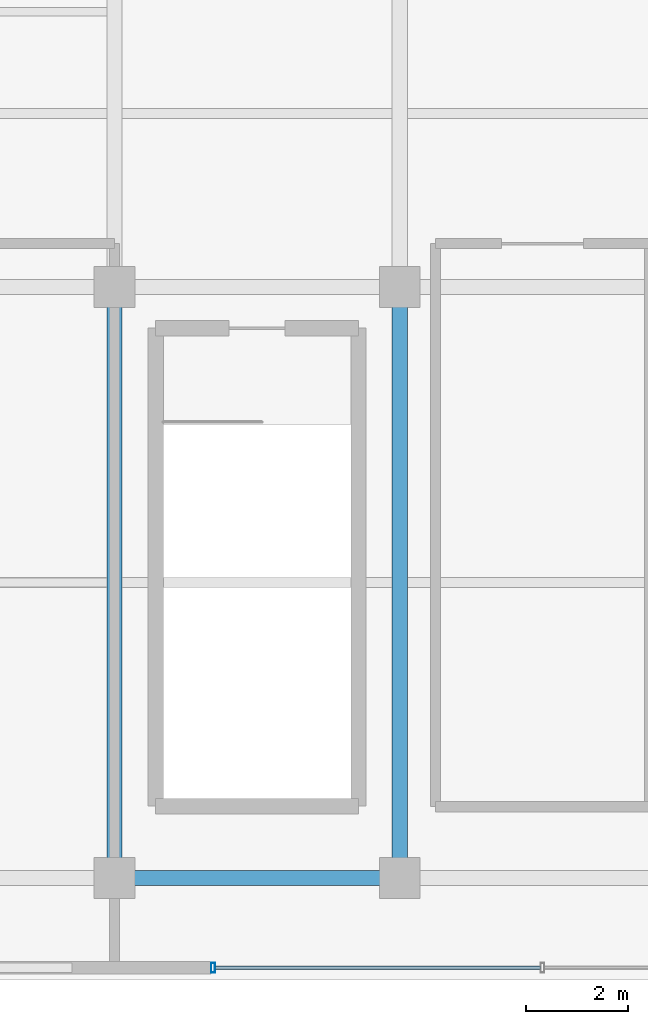
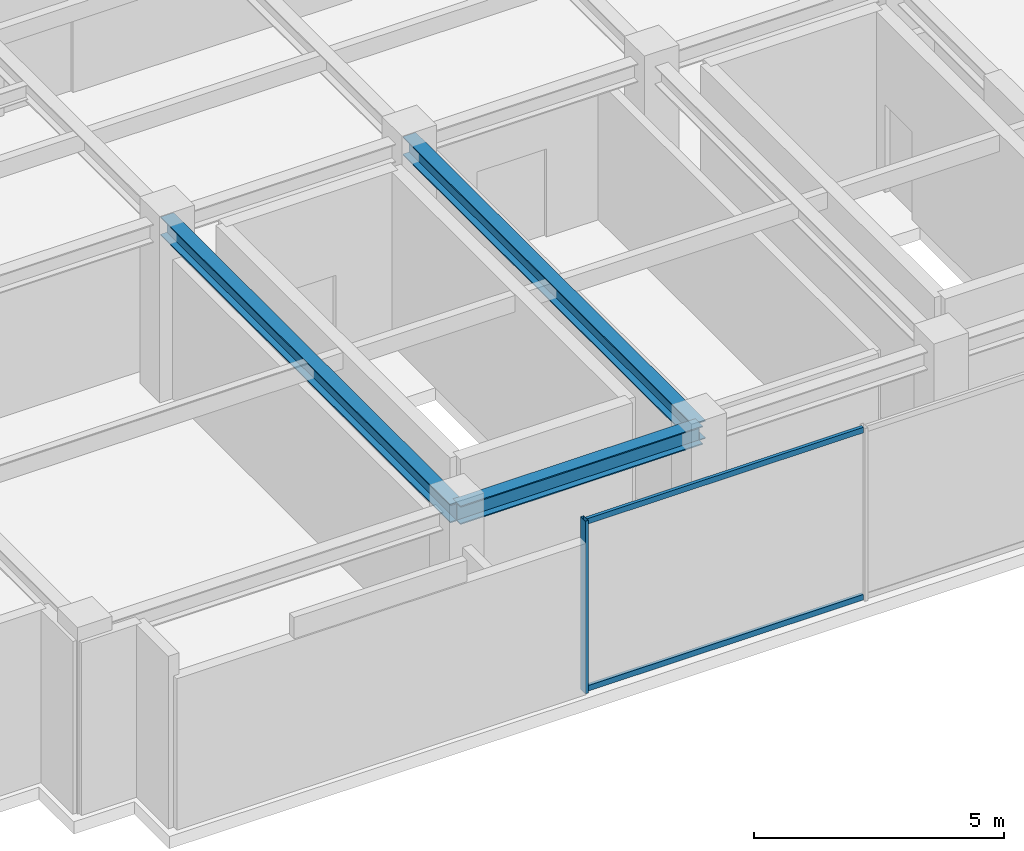
# One storey, part 2 of 21: 3 beams, 3 members, 1 element without a shape of its own.
"""IFC4 building model written with IfcOpenShell, lengths in metres."""

from ifc_helpers import new_model, si_unit, direction, frame, origin, origin_2d, place, context, subcontext, project, spatial, hollow_rectangle, i_section, extrude, source, transform, mapped, material, material_profile, profile_set, type_object, element, aggregate, save


model = new_model("IFC4")

# Units and contexts
model_context = context("Model", 3, precision=1e-05, world=origin(), true_north=direction((0.0, 1.0)))
body_context = subcontext(model_context, "Body", "Model", "MODEL_VIEW")
ifc_project = project(units=[si_unit("LENGTHUNIT", "METRE"), si_unit("AREAUNIT", "SQUARE_METRE"), si_unit("VOLUMEUNIT", "CUBIC_METRE"), si_unit("PLANEANGLEUNIT", "RADIAN"), si_unit("MASSUNIT", "GRAM", prefix="KILO")], contexts=[model_context])

# Site, building, storey
site_placement = place(None, origin())
site = spatial("IfcSite", under=ifc_project, at=site_placement, CompositionType="ELEMENT")
building_placement = place(site_placement, origin())
building = spatial("IfcBuilding", under=site, at=building_placement, Name="Nahalor Promenade Grand Hotel", CompositionType="ELEMENT")
storey_placement = place(building_placement, frame((0.0, 0.0, 370.85009765625)))
storey = spatial("IfcBuildingStorey", under=building, at=storey_placement, Name="L94", CompositionType="ELEMENT", Elevation=370.85009765625)

# Beams
ifc_material_1 = material(Name="Steel S355JR", Category="steel")
ifc_material_profile_1 = material_profile(ifc_material_1, i_section(OverallWidth=0.3, OverallDepth=0.45, WebThickness=0.014, FlangeThickness=0.026, at=origin_2d()), Name="HEB 450")
ifc_profile_set_1 = profile_set([ifc_material_profile_1], Name="Steel S355JR")
beam_type = type_object("IfcBeamType", Name="Beam-Girder-HEB450", PredefinedType="BEAM", material=ifc_profile_set_1)
shared_shape_1 = source(origin(), body_context, "Body", "SweptSolid", [
    extrude(i_section(OverallWidth=0.3, OverallDepth=0.45, WebThickness=0.014, FlangeThickness=0.026, at=origin_2d()), origin(), (0.0, 0.0, 1.0), 5.599853515625),
])
beam_placement = place(storey_placement, frame((-8.39990234375, -17.0, 3.994873046875), z_axis=(1.0, 0.0, 0.0), x_axis=(0.0, 1.0, 0.0)))
element("IfcBeam", 1, at=beam_placement, inside=storey, type_object=beam_type, Name="BM-L94-GX-0-1", PredefinedType="BEAM", context=body_context, shape_type="MappedRepresentation", body=[
    mapped(shared_shape_1, transform((0.0, 0.0, 0.0), scale=1.0)),
])
shared_shape_2 = source(origin(), body_context, "Body", "SweptSolid", [
    extrude(i_section(OverallWidth=0.3, OverallDepth=0.45, WebThickness=0.014, FlangeThickness=0.026, at=origin_2d()), origin(), (0.0, 0.0, 1.0), 11.60009765625),
])
for number, where, z_axis, x_axis, name in (
    (2, (-8.39990234375, -17.0, 3.994873046875), (0.0, 1.0, 0.0), (-1.0, 0.0, 0.0), "BM-L94-GY-1-0"),
    (3, (-2.800048828125, -17.0, 3.994873046875), (0.0, 1.0, 0.0), (-1.0, 0.0, 0.0), "BM-L94-GY-2-0"),
):
    element("IfcBeam", number, at=place(storey_placement, frame(where, z_axis=z_axis, x_axis=x_axis)), inside=storey, type_object=beam_type, Name=name, PredefinedType="BEAM", context=body_context, shape_type="MappedRepresentation", body=[
        mapped(shared_shape_2, transform((0.0, 0.0, 0.0), scale=1.0)),
    ])

# Curtain wall, members
ifc_material_2 = material(Name="Anodised Bronze Aluminium EN AW-6063 T6", Category="aluminium")
curtain_wall_type = type_object("IfcCurtainWallType", Name="CW6 Crown Botanical Conservatory Curtain Wall", PredefinedType="USERDEFINED", material=ifc_material_2)
curtain_wall_placement = place(storey_placement, origin())
curtain_wall = element("IfcCurtainWall", 4, at=curtain_wall_placement, inside=storey, type_object=curtain_wall_type, Name="L94 Curtain Wall CW-L94-S", ObjectType="UNITISED_CURTAIN_WALL", PredefinedType="USERDEFINED")
ifc_material_profile_2 = material_profile(ifc_material_2, hollow_rectangle(XDim=0.075, YDim=0.135, WallThickness=0.004, at=origin_2d()), Name="CWT 75x135x4")
ifc_profile_set_2 = profile_set([ifc_material_profile_2], Name="Anodised Bronze Aluminium EN AW-6063 T6")
member_type_1 = type_object("IfcMemberType", Name="CWT6 Conservatory Transom 75x135", PredefinedType="USERDEFINED", material=ifc_profile_set_2)
shared_shape_3 = source(origin(), body_context, "Body", "SweptSolid", [
    extrude(hollow_rectangle(XDim=0.075, YDim=0.135, WallThickness=0.004, at=origin_2d()), origin(), (0.0, 0.0, 1.0), 6.387451171875),
])
member_1_placement = place(storey_placement, frame((-6.425048828125, -18.760009765625, 0.0673828125), z_axis=(1.0, 0.0, 0.0), x_axis=(0.0, 1.0, 0.0)))
member_1 = element("IfcMember", 5, at=member_1_placement, type_object=member_type_1, Name="CW-L94-S Transom 0-0", ObjectType="TRANSOM", PredefinedType="USERDEFINED", context=body_context, shape_type="MappedRepresentation", body=[
    mapped(shared_shape_3, transform((0.0, 0.0, 0.0), scale=1.0)),
])
member_2_placement = place(storey_placement, frame((-6.425048828125, -18.760009765625, 4.15234375), z_axis=(1.0, 0.0, 0.0), x_axis=(0.0, 1.0, 0.0)))
member_2 = element("IfcMember", 6, at=member_2_placement, type_object=member_type_1, Name="CW-L94-S Transom 0-1", ObjectType="TRANSOM", PredefinedType="USERDEFINED", context=body_context, shape_type="MappedRepresentation", body=[
    mapped(shared_shape_3, transform((0.0, 0.0, 0.0), scale=1.0)),
])
ifc_material_profile_3 = material_profile(ifc_material_2, hollow_rectangle(XDim=0.075, YDim=0.19, WallThickness=0.005, at=origin_2d()), Name="CWM 75x190x5")
ifc_profile_set_3 = profile_set([ifc_material_profile_3], Name="Anodised Bronze Aluminium EN AW-6063 T6")
member_type_2 = type_object("IfcMemberType", Name="CWM6 Conservatory Bronze Mullion 75x190", PredefinedType="MULLION", material=ifc_profile_set_3)
shared_shape_4 = source(origin(), body_context, "Body", "SweptSolid", [
    extrude(hollow_rectangle(XDim=0.075, YDim=0.19, WallThickness=0.005, at=origin_2d()), origin(), (0.0, 0.0, 1.0), 4.219970703125),
])
member_3_placement = place(storey_placement, frame((-6.46240234375, -18.760009765625, 0.0), z_axis=(0.0, 0.0, 1.0), x_axis=(1.0, 0.0, 0.0)))
member_3 = element("IfcMember", 7, at=member_3_placement, type_object=member_type_2, Name="CW-L94-S Mullion 0", PredefinedType="MULLION", context=body_context, shape_type="MappedRepresentation", body=[
    mapped(shared_shape_4, transform((0.0, 0.0, 0.0), scale=1.0)),
])
aggregate(curtain_wall, [member_3, member_1, member_2])

save(model, "model.ifc")
